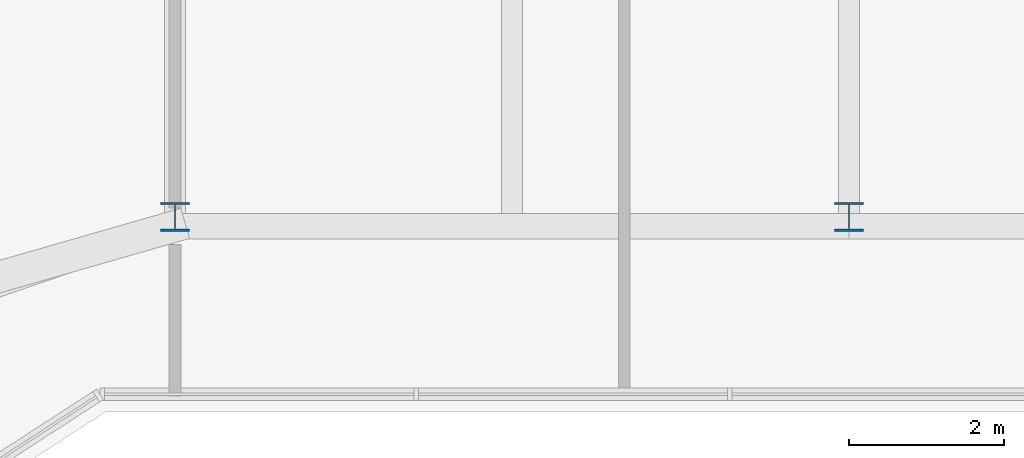
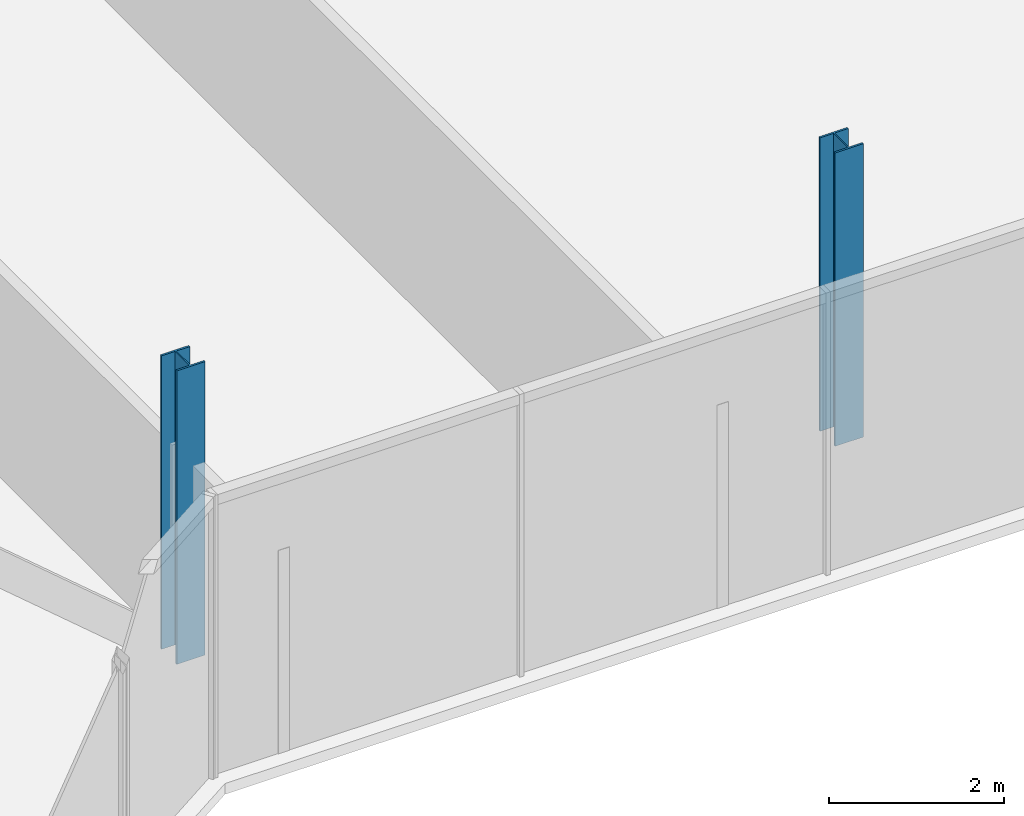
# One storey, part 2 of 24: 2 columns.
"""IFC4 building model written with IfcOpenShell, lengths in metres."""

import ifcopenshell
import ifcopenshell.guid

model = None  # the IFC model being written
_history = None  # IfcOwnerHistory: only IFC2X3 demands one
_inside = {}  # id of a spatial element -> (the spatial element, [elements in it])
_under = {}  # id of a project, library or spatial element -> (it, [spatial elements below it])
_declared = {}  # id of a project -> (the project, [libraries it declares])
_typed = {}  # id of a type object -> (the type object, [elements of that type])
_made_of = {}  # id of a material, layer set ... -> (it, [elements and type objects made of it])


def new_model(schema):
    """Start an empty IFC model of exactly this schema.

    Asked for "IFC4X3", IfcOpenShell would pick the latest addendum, in which some entities
    have other attributes; the version numbers below select the first issue.
    IFC2X3 requires an IfcOwnerHistory on every rooted entity: one is made here for all.
    """
    global model, _history
    if schema == "IFC4X3":
        model = ifcopenshell.file(schema_version=(4, 3, 0, 0))
    else:
        model = ifcopenshell.file(schema=schema)
    _inside.clear()
    _under.clear()
    _declared.clear()
    _typed.clear()
    _made_of.clear()
    _history = None
    if model.schema == "IFC2X3":
        org = make("IfcOrganization", Name="unknown")
        user = make(
            "IfcPersonAndOrganization",
            ThePerson=make("IfcPerson", FamilyName="unknown"),
            TheOrganization=org,
        )
        app = make(
            "IfcApplication",
            ApplicationDeveloper=org,
            Version="unknown",
            ApplicationFullName="unknown",
            ApplicationIdentifier="unknown",
        )
        _history = make(
            "IfcOwnerHistory",
            OwningUser=user,
            OwningApplication=app,
            ChangeAction="ADDED",
            CreationDate=0,
        )
    return model


def make(cls, **values):
    """One entity of the class cls with the attributes given. An attribute that is None is left unset."""
    return model.create_entity(
        cls, **{name: value for name, value in values.items() if value is not None}
    )


def rooted(cls, **values):
    """An entity with a GlobalId (a new one), such as an element, a storey or a relation."""
    return make(cls, GlobalId=ifcopenshell.guid.new(), OwnerHistory=_history, **values)


def si_unit(unit_type, name, prefix=None):
    """IfcSIUnit, for example si_unit("LENGTHUNIT", "METRE", prefix="MILLI")."""
    return make("IfcSIUnit", UnitType=unit_type, Prefix=prefix, Name=name)


def assignment(units):
    """IfcUnitAssignment: the units of a project."""
    return None if units is None else make("IfcUnitAssignment", Units=units)


def point(xyz):
    """IfcCartesianPoint."""
    return None if xyz is None else make("IfcCartesianPoint", Coordinates=xyz)


def direction(xyz):
    """IfcDirection."""
    return None if xyz is None else make("IfcDirection", DirectionRatios=xyz)


def frame(location, z_axis=None, x_axis=None):
    """IfcAxis2Placement3D, a coordinate frame: its origin and axes. An axis left out is left unset."""
    return make(
        "IfcAxis2Placement3D",
        Location=point(location),
        Axis=direction(z_axis),
        RefDirection=direction(x_axis),
    )


def frame_2d(location, x_axis=None):
    """IfcAxis2Placement2D, a coordinate frame in the plane: its origin and x axis."""
    return make(
        "IfcAxis2Placement2D", Location=point(location), RefDirection=direction(x_axis)
    )


def origin():
    """The frame at (0, 0, 0) with its axes left unset."""
    return frame((0.0, 0.0, 0.0))


def origin_2d():
    """The frame at (0, 0) in the plane with its x axis left unset."""
    return frame_2d((0.0, 0.0))


def place(relative_to, where):
    """IfcLocalPlacement: puts the frame where relative to a parent placement (None: the world)."""
    return make(
        "IfcLocalPlacement", PlacementRelTo=relative_to, RelativePlacement=where
    )


def context(
    kind, dimensions, precision=None, world=None, true_north=None, identifier=None
):
    """IfcGeometricRepresentationContext, for example the 3D "Model" context."""
    return make(
        "IfcGeometricRepresentationContext",
        ContextIdentifier=identifier,
        ContextType=kind,
        CoordinateSpaceDimension=dimensions,
        Precision=precision,
        WorldCoordinateSystem=world,
        TrueNorth=true_north,
    )


def subcontext(parent, identifier, kind, view, scale=None):
    """IfcGeometricRepresentationSubContext, for example "Body" below "Model"."""
    return make(
        "IfcGeometricRepresentationSubContext",
        ContextIdentifier=identifier,
        ContextType=kind,
        ParentContext=parent,
        TargetScale=scale,
        TargetView=view,
    )


def project(units=None, contexts=None):
    """IfcProject with its units and contexts."""
    return rooted(
        "IfcProject",
        Name="project",
        RepresentationContexts=contexts,
        UnitsInContext=assignment(units),
    )


def spatial(cls, under=None, at=None, **own):
    """A site, building, storey or space (cls), placed at a placement, below another one or the project."""
    s = rooted(cls, ObjectPlacement=at, **own)
    if under is not None:
        _under.setdefault(under.id(), (under, []))[1].append(s)
    return s


def profile(cls, at=None, kind="AREA", **sizes):
    """A parametric profile (cls). Its sizes go by their IFC names, for example OverallWidth=200.0."""
    return make(cls, ProfileType=kind, Position=at, **sizes)


def i_section(**sizes):
    """IfcIShapeProfileDef."""
    return profile("IfcIShapeProfileDef", **sizes)


def extrude(swept, where, along, depth):
    """IfcExtrudedAreaSolid: the profile swept, set in the frame where, extruded along a direction by depth."""
    return make(
        "IfcExtrudedAreaSolid",
        SweptArea=swept,
        Position=where,
        ExtrudedDirection=direction(along),
        Depth=depth,
    )


def shape(context_of_items, identifier, shape_type, items):
    """IfcShapeRepresentation: the items that make up one representation, for example the "Body"."""
    return make(
        "IfcShapeRepresentation",
        ContextOfItems=context_of_items,
        RepresentationIdentifier=identifier,
        RepresentationType=shape_type,
        Items=items,
    )


def material(Name=None, Category=None):
    """IfcMaterial."""
    return make("IfcMaterial", Name=Name, Category=Category)


def material_profile(
    of_material, cross_section, Name=None, Category=None, Priority=None
):
    """IfcMaterialProfile: a cross section and its material."""
    return make(
        "IfcMaterialProfile",
        Name=Name,
        Material=of_material,
        Profile=cross_section,
        Priority=Priority,
        Category=Category,
    )


def profile_set(profiles, Name=None, composite=None):
    """IfcMaterialProfileSet."""
    return make(
        "IfcMaterialProfileSet",
        Name=Name,
        MaterialProfiles=profiles,
        CompositeProfile=composite,
    )


def made_of(thing, what):
    """Note that an element or type object is made of a material, layer set ...; save() writes the relation."""
    if what is not None:
        _made_of.setdefault(what.id(), (what, []))[1].append(thing)
    return thing


def type_object(cls, material=None, **own):
    """A type object (cls), such as IfcWallType, which elements share."""
    return made_of(rooted(cls, **own), material)


def element(
    cls,
    number,
    at=None,
    inside=None,
    cuts=None,
    type_object=None,
    material=None,
    context=None,
    identifier="Body",
    shape_type=None,
    held_by="IfcProductDefinitionShape",
    body=None,
    shapes=None,
    **own,
):
    """One element of the class cls, such as IfcWall. Its Tag is "e" and its number.

    at: its placement. inside: the storey or other place that contains it. cuts: it is an
    opening in that element (IfcRelVoidsElement). A single representation is given by context,
    identifier, shape_type and body (its items); several are given by shapes. held_by: the class
    of the entity that holds the representations. save() writes the other relations.
    """
    e = rooted(cls, Tag="e%d" % number, ObjectPlacement=at, **own)
    if body is not None:
        shapes = [shape(context, identifier, shape_type, body)]
    if shapes is not None:
        e.Representation = make(held_by, Representations=shapes)
    if inside is not None:
        _inside.setdefault(inside.id(), (inside, []))[1].append(e)
    if cuts is not None:
        rooted(
            "IfcRelVoidsElement", RelatingBuildingElement=cuts, RelatedOpeningElement=e
        )
    if type_object is not None:
        _typed.setdefault(type_object.id(), (type_object, []))[1].append(e)
    return made_of(e, material)


def aggregate(whole, parts):
    """IfcRelAggregates: a whole, such as a stair, and the parts it consists of."""
    return rooted("IfcRelAggregates", RelatingObject=whole, RelatedObjects=parts)


def save(model, path):
    """Write the relations noted so far, then the file.

    IfcRelAggregates (storeys below a building ...), IfcRelContainedInSpatialStructure (elements
    in a storey), IfcRelDefinesByType, IfcRelAssociatesMaterial and IfcRelDeclares: one each for
    every whole, place, type object, material and project.
    """
    for whole, parts in _under.values():
        aggregate(whole, parts)
    for where, things in _inside.values():
        rooted(
            "IfcRelContainedInSpatialStructure",
            RelatedElements=things,
            RelatingStructure=where,
        )
    for kind, things in _typed.values():
        rooted("IfcRelDefinesByType", RelatedObjects=things, RelatingType=kind)
    for what, things in _made_of.values():
        rooted("IfcRelAssociatesMaterial", RelatedObjects=things, RelatingMaterial=what)
    for by, libraries in _declared.values():
        rooted("IfcRelDeclares", RelatingContext=by, RelatedDefinitions=libraries)
    model.write(path)


model = new_model("IFC4")

# Units and contexts
model_context = context("Model", 3, precision=1e-05, world=origin(), true_north=direction((0.0, 1.0)))
body_context = subcontext(model_context, "Body", "Model", "MODEL_VIEW")
ifc_project = project(units=[si_unit("LENGTHUNIT", "METRE"), si_unit("AREAUNIT", "SQUARE_METRE"), si_unit("VOLUMEUNIT", "CUBIC_METRE"), si_unit("PLANEANGLEUNIT", "RADIAN"), si_unit("MASSUNIT", "GRAM", prefix="KILO")], contexts=[model_context])

# Site, building, storey
site_placement = place(None, origin())
site = spatial("IfcSite", under=ifc_project, at=site_placement, CompositionType="ELEMENT")
building_placement = place(site_placement, origin())
building = spatial("IfcBuilding", under=site, at=building_placement, Name="Bicima Exchange Tower", CompositionType="ELEMENT")
storey_placement = place(building_placement, frame((0.0, 0.0, 211.39990234375)))
storey = spatial("IfcBuildingStorey", under=building, at=storey_placement, Name="L47", CompositionType="ELEMENT", Elevation=211.39990234375)

# Columns
ifc_material = material(Name="Steel ASTM A992 Gr 50", Category="steel")
ifc_material_profile = material_profile(ifc_material, i_section(OverallWidth=0.373291015625, OverallDepth=0.373291015625, WebThickness=0.016357421875, FlangeThickness=0.026123046875, at=origin_2d()))
ifc_profile_set = profile_set([ifc_material_profile], Name="Steel ASTM A992 Gr 50")
column_type = type_object("IfcColumnType", Name="Perimeter column W14x132", PredefinedType="COLUMN", material=ifc_profile_set)
for number, where, z_axis, x_axis, name in (
    (1, (17.39990234375, -29.47412109375, 0.0), (0.0, 0.0, 1.0), (1.0, 0.0, 0.0), "Perimeter column grav+17.4f"),
    (2, (26.10009765625, -29.47412109375, 0.0), (0.0, 0.0, 1.0), (1.0, 0.0, 0.0), "Perimeter column grav+26.1f"),
):
    element("IfcColumn", number, at=place(storey_placement, frame(where, z_axis=z_axis, x_axis=x_axis)), inside=storey, type_object=column_type, Name=name, PredefinedType="COLUMN", context=body_context, shape_type="SweptSolid", body=[
        extrude(i_section(OverallWidth=0.373291015625, OverallDepth=0.373291015625, WebThickness=0.016357421875, FlangeThickness=0.026123046875, at=origin_2d()), origin(), (0.0, 0.0, 1.0), 4.10009765625),
    ])

save(model, "model.ifc")
